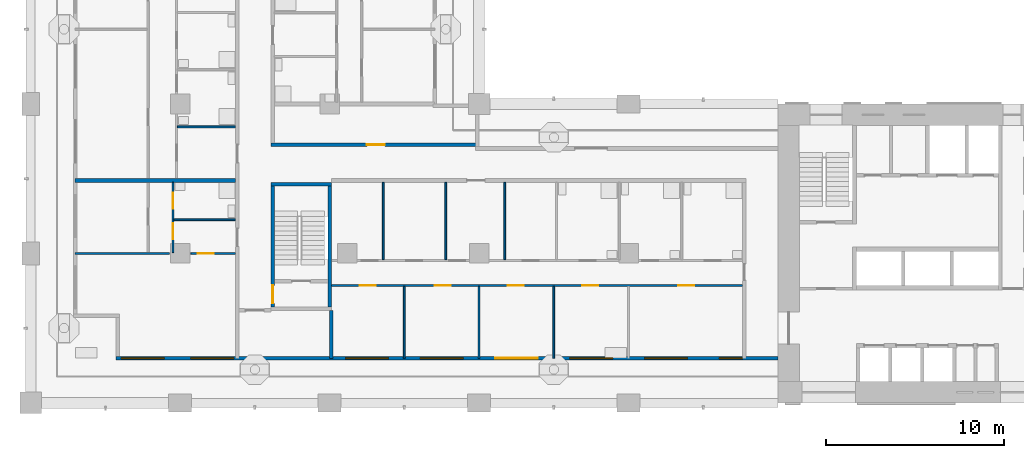
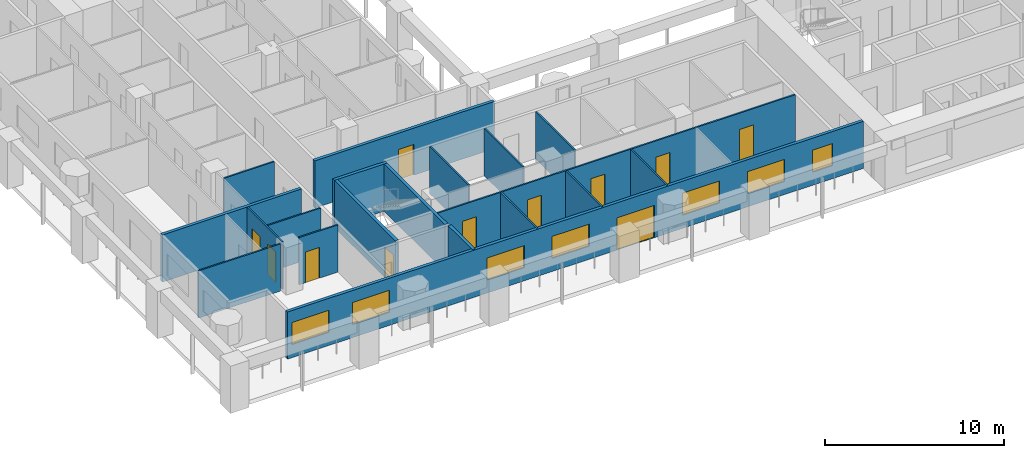
# One storey, part 2 of 19: 19 walls, 11 doors, 7 windows, 18 openings.
"""IFC4 building model written with IfcOpenShell, lengths in metres."""

from ifc_helpers import new_model, si_unit, direction, frame, frame_2d, origin, place, context, subcontext, project, spatial, rectangle, extrude, material, layer, layer_set, type_object, element, fill, save


model = new_model("IFC4")

# Units and contexts
model_context = context("Model", 3, precision=1e-05, world=origin(), true_north=direction((0.0, 1.0)))
body_context = subcontext(model_context, "Body", "Model", "MODEL_VIEW")
ifc_project = project(units=[si_unit("LENGTHUNIT", "METRE"), si_unit("AREAUNIT", "SQUARE_METRE"), si_unit("VOLUMEUNIT", "CUBIC_METRE"), si_unit("PLANEANGLEUNIT", "RADIAN"), si_unit("MASSUNIT", "GRAM", prefix="KILO")], contexts=[model_context])

# Site, building, storey
site_placement = place(None, origin())
site = spatial("IfcSite", under=ifc_project, at=site_placement, CompositionType="ELEMENT")
building_placement = place(site_placement, origin())
building = spatial("IfcBuilding", under=site, at=building_placement, Name="Vermilion Gate Residences", CompositionType="ELEMENT")
storey_placement = place(building_placement, frame((0.0, 0.0, 119.699951171875)))
storey = spatial("IfcBuildingStorey", under=building, at=storey_placement, Name="L30", CompositionType="ELEMENT", Elevation=119.699951171875)

# Wall, openings, door, windows
ifc_material_1 = material(Name="Insulated steel stud wall with terracotta rainscreen", Category="masonry")
ifc_layer_1 = layer(ifc_material_1, 0.199951171875)
ifc_layer_set_1 = layer_set([ifc_layer_1], Name="EXTERNAL WALL 200 TERRACOTTA RAINSCREEN")
wall_type_1 = type_object("IfcWallType", Name="EXTERNAL WALL 200 TERRACOTTA RAINSCREEN", PredefinedType="SOLIDWALL", material=ifc_layer_set_1)
wall_1_placement = place(storey_placement, frame((4.800048828125, 10.89990234375, 0.0), z_axis=(0.0, 0.0, 1.0), x_axis=(1.0, 0.0, 0.0)))
wall_1 = element("IfcWall", 1, at=wall_1_placement, inside=storey, type_object=wall_type_1, Name="External wall", PredefinedType="SOLIDWALL", context=body_context, shape_type="SweptSolid", body=[
    extrude(rectangle(XDim=37.199951171875, YDim=0.199951171875, at=frame_2d((18.60009765625, 0.0))), origin(), (0.0, 0.0, 1.0), 3.219970703125),
])
opening_1_placement = place(wall_1_placement, frame((0.300048828125, 0.0, 0.89990234375)))
opening_1 = element("IfcOpeningElement", 2, at=opening_1_placement, cuts=wall_1, Name="Opening WE30012", PredefinedType="OPENING", context=body_context, shape_type="SweptSolid", body=[
    extrude(rectangle(XDim=2.39990234375, YDim=1.5, at=frame_2d((1.199951171875, 0.75))), frame((0.0, 0.10986328125, 0.0), z_axis=(0.0, -1.0, 0.0), x_axis=(1.0, 0.0, 0.0)), (0.0, 0.0, 1.0), 0.219970703125),
])
opening_2_placement = place(wall_1_placement, frame((4.199951171875, 0.0, 0.89990234375)))
opening_2 = element("IfcOpeningElement", 3, at=opening_2_placement, cuts=wall_1, Name="Opening WE30013", PredefinedType="OPENING", context=body_context, shape_type="SweptSolid", body=[
    extrude(rectangle(XDim=2.39990234375, YDim=1.5, at=frame_2d((1.199951171875, 0.75))), frame((0.0, 0.10986328125, 0.0), z_axis=(0.0, -1.0, 0.0), x_axis=(1.0, 0.0, 0.0)), (0.0, 0.0, 1.0), 0.219970703125),
])
opening_3_placement = place(wall_1_placement, frame((12.89990234375, 0.0, 0.89990234375)))
opening_3 = element("IfcOpeningElement", 4, at=opening_3_placement, cuts=wall_1, Name="Opening WE30014", PredefinedType="OPENING", context=body_context, shape_type="SweptSolid", body=[
    extrude(rectangle(XDim=2.39990234375, YDim=1.5, at=frame_2d((1.199951171875, 0.75))), frame((0.0, 0.10986328125, 0.0), z_axis=(0.0, -1.0, 0.0), x_axis=(1.0, 0.0, 0.0)), (0.0, 0.0, 1.0), 0.219970703125),
])
opening_4_placement = place(wall_1_placement, frame((17.10009765625, 0.0, 0.89990234375)))
opening_4 = element("IfcOpeningElement", 5, at=opening_4_placement, cuts=wall_1, Name="Opening WE30015", PredefinedType="OPENING", context=body_context, shape_type="SweptSolid", body=[
    extrude(rectangle(XDim=2.39990234375, YDim=1.5, at=frame_2d((1.199951171875, 0.75))), frame((0.0, 0.10986328125, 0.0), z_axis=(0.0, -1.0, 0.0), x_axis=(1.0, 0.0, 0.0)), (0.0, 0.0, 1.0), 0.219970703125),
])
opening_5_placement = place(wall_1_placement, frame((21.300048828125, 0.0, 0.0)))
opening_5 = element("IfcOpeningElement", 6, at=opening_5_placement, cuts=wall_1, Name="Opening DE30016", PredefinedType="OPENING", context=body_context, shape_type="SweptSolid", body=[
    extrude(rectangle(XDim=2.39990234375, YDim=2.199951171875, at=frame_2d((1.199951171875, 1.10009765625))), frame((0.0, 0.10986328125, 0.0), z_axis=(0.0, -1.0, 0.0), x_axis=(1.0, 0.0, 0.0)), (0.0, 0.0, 1.0), 0.219970703125),
])
opening_6_placement = place(wall_1_placement, frame((25.5, 0.0, 0.89990234375)))
opening_6 = element("IfcOpeningElement", 7, at=opening_6_placement, cuts=wall_1, Name="Opening WE30017", PredefinedType="OPENING", context=body_context, shape_type="SweptSolid", body=[
    extrude(rectangle(XDim=2.39990234375, YDim=1.5, at=frame_2d((1.199951171875, 0.75))), frame((0.0, 0.10986328125, 0.0), z_axis=(0.0, -1.0, 0.0), x_axis=(1.0, 0.0, 0.0)), (0.0, 0.0, 1.0), 0.219970703125),
])
opening_7_placement = place(wall_1_placement, frame((29.699951171875, 0.0, 0.89990234375)))
opening_7 = element("IfcOpeningElement", 8, at=opening_7_placement, cuts=wall_1, Name="Opening WE30018", PredefinedType="OPENING", context=body_context, shape_type="SweptSolid", body=[
    extrude(rectangle(XDim=2.39990234375, YDim=1.5, at=frame_2d((1.199951171875, 0.75))), frame((0.0, 0.10986328125, 0.0), z_axis=(0.0, -1.0, 0.0), x_axis=(1.0, 0.0, 0.0)), (0.0, 0.0, 1.0), 0.219970703125),
])
opening_8_placement = place(wall_1_placement, frame((33.89990234375, 0.0, 0.89990234375)))
opening_8 = element("IfcOpeningElement", 9, at=opening_8_placement, cuts=wall_1, Name="Opening WE30019", PredefinedType="OPENING", context=body_context, shape_type="SweptSolid", body=[
    extrude(rectangle(XDim=1.300048828125, YDim=1.5, at=frame_2d((0.64990234375, 0.75))), frame((0.0, 0.10986328125, 0.0), z_axis=(0.0, -1.0, 0.0), x_axis=(1.0, 0.0, 0.0)), (0.0, 0.0, 1.0), 0.219970703125),
])
ifc_material_2 = material(Name="Aluminium and clear glass", Category="aluminium")
door_type_1 = type_object("IfcDoorType", Name="SLIDING GLAZED DOOR 2400 X 2200", OperationType="DOUBLE_DOOR_SLIDING", PredefinedType="DOOR", material=ifc_material_2)
door_1_placement = place(opening_5_placement, origin())
door_1 = element("IfcDoor", 10, at=door_1_placement, inside=storey, type_object=door_type_1, Name="Loggia sliding door", OperationType="DOUBLE_DOOR_SLIDING", OverallHeight=2.199951171875, OverallWidth=2.39990234375, PredefinedType="DOOR", context=body_context, shape_type="SweptSolid", body=[
    extrude(rectangle(XDim=2.39990234375, YDim=2.199951171875, at=frame_2d((1.199951171875, 1.10009765625))), frame((0.0, 0.02490234375, 0.0), z_axis=(0.0, -1.0, 0.0), x_axis=(1.0, 0.0, 0.0)), (0.0, 0.0, 1.0), 0.050048828125),
])
fill(opening_5, door_1)
ifc_material_3 = material(Name="Aluminium and clear glass", Category="aluminium")
window_type_1 = type_object("IfcWindowType", Name="WINDOW 1300 X 1500", PartitioningType="SINGLE_PANEL", PredefinedType="WINDOW", material=ifc_material_3)
window_1_placement = place(opening_8_placement, origin())
window_1 = element("IfcWindow", 11, at=window_1_placement, inside=storey, type_object=window_type_1, Name="Window", OverallHeight=1.5, OverallWidth=1.300048828125, PartitioningType="SINGLE_PANEL", PredefinedType="WINDOW", context=body_context, shape_type="SweptSolid", body=[
    extrude(rectangle(XDim=1.300048828125, YDim=1.5, at=frame_2d((0.64990234375, 0.75))), frame((0.0, 0.030029296875, 0.0), z_axis=(0.0, -1.0, 0.0), x_axis=(1.0, 0.0, 0.0)), (0.0, 0.0, 1.0), 0.06005859375),
])
fill(opening_8, window_1)
ifc_material_4 = material(Name="Aluminium and clear glass", Category="aluminium")
window_type_2 = type_object("IfcWindowType", Name="WINDOW 2400 X 1500", PartitioningType="SINGLE_PANEL", PredefinedType="WINDOW", material=ifc_material_4)
window_2_placement = place(opening_1_placement, origin())
window_2 = element("IfcWindow", 12, at=window_2_placement, inside=storey, type_object=window_type_2, Name="Window", OverallHeight=1.5, OverallWidth=2.39990234375, PartitioningType="SINGLE_PANEL", PredefinedType="WINDOW", context=body_context, shape_type="SweptSolid", body=[
    extrude(rectangle(XDim=2.39990234375, YDim=1.5, at=frame_2d((1.199951171875, 0.75))), frame((0.0, 0.030029296875, 0.0), z_axis=(0.0, -1.0, 0.0), x_axis=(1.0, 0.0, 0.0)), (0.0, 0.0, 1.0), 0.06005859375),
])
fill(opening_1, window_2)
window_3_placement = place(opening_2_placement, origin())
window_3 = element("IfcWindow", 13, at=window_3_placement, inside=storey, type_object=window_type_2, Name="Window", OverallHeight=1.5, OverallWidth=2.39990234375, PartitioningType="SINGLE_PANEL", PredefinedType="WINDOW", context=body_context, shape_type="SweptSolid", body=[
    extrude(rectangle(XDim=2.39990234375, YDim=1.5, at=frame_2d((1.199951171875, 0.75))), frame((0.0, 0.030029296875, 0.0), z_axis=(0.0, -1.0, 0.0), x_axis=(1.0, 0.0, 0.0)), (0.0, 0.0, 1.0), 0.06005859375),
])
fill(opening_2, window_3)
window_4_placement = place(opening_3_placement, origin())
window_4 = element("IfcWindow", 14, at=window_4_placement, inside=storey, type_object=window_type_2, Name="Window", OverallHeight=1.5, OverallWidth=2.39990234375, PartitioningType="SINGLE_PANEL", PredefinedType="WINDOW", context=body_context, shape_type="SweptSolid", body=[
    extrude(rectangle(XDim=2.39990234375, YDim=1.5, at=frame_2d((1.199951171875, 0.75))), frame((0.0, 0.030029296875, 0.0), z_axis=(0.0, -1.0, 0.0), x_axis=(1.0, 0.0, 0.0)), (0.0, 0.0, 1.0), 0.06005859375),
])
fill(opening_3, window_4)
window_5_placement = place(opening_4_placement, origin())
window_5 = element("IfcWindow", 15, at=window_5_placement, inside=storey, type_object=window_type_2, Name="Window", OverallHeight=1.5, OverallWidth=2.39990234375, PartitioningType="SINGLE_PANEL", PredefinedType="WINDOW", context=body_context, shape_type="SweptSolid", body=[
    extrude(rectangle(XDim=2.39990234375, YDim=1.5, at=frame_2d((1.199951171875, 0.75))), frame((0.0, 0.030029296875, 0.0), z_axis=(0.0, -1.0, 0.0), x_axis=(1.0, 0.0, 0.0)), (0.0, 0.0, 1.0), 0.06005859375),
])
fill(opening_4, window_5)
window_6_placement = place(opening_6_placement, origin())
window_6 = element("IfcWindow", 16, at=window_6_placement, inside=storey, type_object=window_type_2, Name="Window", OverallHeight=1.5, OverallWidth=2.39990234375, PartitioningType="SINGLE_PANEL", PredefinedType="WINDOW", context=body_context, shape_type="SweptSolid", body=[
    extrude(rectangle(XDim=2.39990234375, YDim=1.5, at=frame_2d((1.199951171875, 0.75))), frame((0.0, 0.030029296875, 0.0), z_axis=(0.0, -1.0, 0.0), x_axis=(1.0, 0.0, 0.0)), (0.0, 0.0, 1.0), 0.06005859375),
])
fill(opening_6, window_6)
window_7_placement = place(opening_7_placement, origin())
window_7 = element("IfcWindow", 17, at=window_7_placement, inside=storey, type_object=window_type_2, Name="Window", OverallHeight=1.5, OverallWidth=2.39990234375, PartitioningType="SINGLE_PANEL", PredefinedType="WINDOW", context=body_context, shape_type="SweptSolid", body=[
    extrude(rectangle(XDim=2.39990234375, YDim=1.5, at=frame_2d((1.199951171875, 0.75))), frame((0.0, 0.030029296875, 0.0), z_axis=(0.0, -1.0, 0.0), x_axis=(1.0, 0.0, 0.0)), (0.0, 0.0, 1.0), 0.06005859375),
])
fill(opening_7, window_7)

# Wall, openings, doors
ifc_material_5 = material(Name="Plasterboard on steel studs", Category="steel")
ifc_layer_2 = layer(ifc_material_5, 0.10009765625)
ifc_layer_set_2 = layer_set([ifc_layer_2], Name="PARTITION 100")
wall_type_2 = type_object("IfcWallType", Name="PARTITION 100", PredefinedType="PARTITIONING", material=ifc_layer_set_2)
wall_2_placement = place(storey_placement, frame((16.89990234375, 15.0, 0.0), z_axis=(0.0, 0.0, 1.0), x_axis=(1.0, 0.0, 0.0)))
wall_2 = element("IfcWall", 18, at=wall_2_placement, inside=storey, type_object=wall_type_2, Name="Partition", PredefinedType="PARTITIONING", context=body_context, shape_type="SweptSolid", body=[
    extrude(rectangle(XDim=23.10009765625, YDim=0.10009765625, at=frame_2d((11.550048828125, 0.0))), origin(), (0.0, 0.0, 1.0), 3.219970703125),
])
opening_9_placement = place(wall_2_placement, frame((1.60009765625, 0.0, 0.0)))
opening_9 = element("IfcOpeningElement", 19, at=opening_9_placement, cuts=wall_2, Name="Opening DA30002", PredefinedType="OPENING", context=body_context, shape_type="SweptSolid", body=[
    extrude(rectangle(XDim=0.89990234375, YDim=2.10009765625, at=frame_2d((0.449951171875, 1.050048828125))), frame((0.0, 0.06005859375, 0.0), z_axis=(0.0, -1.0, 0.0), x_axis=(1.0, 0.0, 0.0)), (0.0, 0.0, 1.0), 0.1201171875),
])
opening_10_placement = place(wall_2_placement, frame((5.800048828125, 0.0, 0.0)))
opening_10 = element("IfcOpeningElement", 20, at=opening_10_placement, cuts=wall_2, Name="Opening DA30003", PredefinedType="OPENING", context=body_context, shape_type="SweptSolid", body=[
    extrude(rectangle(XDim=0.89990234375, YDim=2.10009765625, at=frame_2d((0.449951171875, 1.050048828125))), frame((0.0, 0.06005859375, 0.0), z_axis=(0.0, -1.0, 0.0), x_axis=(1.0, 0.0, 0.0)), (0.0, 0.0, 1.0), 0.1201171875),
])
opening_11_placement = place(wall_2_placement, frame((9.89990234375, 0.0, 0.0)))
opening_11 = element("IfcOpeningElement", 21, at=opening_11_placement, cuts=wall_2, Name="Opening DA30004", PredefinedType="OPENING", context=body_context, shape_type="SweptSolid", body=[
    extrude(rectangle(XDim=0.89990234375, YDim=2.10009765625, at=frame_2d((0.449951171875, 1.050048828125))), frame((0.0, 0.06005859375, 0.0), z_axis=(0.0, -1.0, 0.0), x_axis=(1.0, 0.0, 0.0)), (0.0, 0.0, 1.0), 0.1201171875),
])
opening_12_placement = place(wall_2_placement, frame((14.10009765625, 0.0, 0.0)))
opening_12 = element("IfcOpeningElement", 22, at=opening_12_placement, cuts=wall_2, Name="Opening DA30005", PredefinedType="OPENING", context=body_context, shape_type="SweptSolid", body=[
    extrude(rectangle(XDim=0.89990234375, YDim=2.10009765625, at=frame_2d((0.449951171875, 1.050048828125))), frame((0.0, 0.06005859375, 0.0), z_axis=(0.0, -1.0, 0.0), x_axis=(1.0, 0.0, 0.0)), (0.0, 0.0, 1.0), 0.1201171875),
])
opening_13_placement = place(wall_2_placement, frame((19.5, 0.0, 0.0)))
opening_13 = element("IfcOpeningElement", 23, at=opening_13_placement, cuts=wall_2, Name="Opening DA30006", PredefinedType="OPENING", context=body_context, shape_type="SweptSolid", body=[
    extrude(rectangle(XDim=0.89990234375, YDim=2.10009765625, at=frame_2d((0.449951171875, 1.050048828125))), frame((0.0, 0.06005859375, 0.0), z_axis=(0.0, -1.0, 0.0), x_axis=(1.0, 0.0, 0.0)), (0.0, 0.0, 1.0), 0.1201171875),
])
ifc_material_6 = material(Name="Timber", Category="wood")
door_type_2 = type_object("IfcDoorType", Name="INTERIOR DOOR 900 X 2100", OperationType="SINGLE_SWING_LEFT", PredefinedType="DOOR", material=ifc_material_6)
door_2_placement = place(opening_9_placement, frame((0.89990234375, 0.0, 0.0), z_axis=(0.0, 0.0, 1.0), x_axis=(-1.0, 0.0, 0.0)))
door_2 = element("IfcDoor", 24, at=door_2_placement, inside=storey, type_object=door_type_2, Name="Interior door", OperationType="SINGLE_SWING_LEFT", OverallHeight=2.10009765625, OverallWidth=0.89990234375, PredefinedType="DOOR", context=body_context, shape_type="SweptSolid", body=[
    extrude(rectangle(XDim=0.89990234375, YDim=2.10009765625, at=frame_2d((0.449951171875, 1.050048828125))), frame((0.0, 0.02490234375, 0.0), z_axis=(0.0, -1.0, 0.0), x_axis=(1.0, 0.0, 0.0)), (0.0, 0.0, 1.0), 0.050048828125),
])
fill(opening_9, door_2)
door_3_placement = place(opening_10_placement, frame((0.89990234375, 0.0, 0.0), z_axis=(0.0, 0.0, 1.0), x_axis=(-1.0, 0.0, 0.0)))
door_3 = element("IfcDoor", 25, at=door_3_placement, inside=storey, type_object=door_type_2, Name="Interior door", OperationType="SINGLE_SWING_LEFT", OverallHeight=2.10009765625, OverallWidth=0.89990234375, PredefinedType="DOOR", context=body_context, shape_type="SweptSolid", body=[
    extrude(rectangle(XDim=0.89990234375, YDim=2.10009765625, at=frame_2d((0.449951171875, 1.050048828125))), frame((0.0, 0.02490234375, 0.0), z_axis=(0.0, -1.0, 0.0), x_axis=(1.0, 0.0, 0.0)), (0.0, 0.0, 1.0), 0.050048828125),
])
fill(opening_10, door_3)
door_4_placement = place(opening_11_placement, frame((0.89990234375, 0.0, 0.0), z_axis=(0.0, 0.0, 1.0), x_axis=(-1.0, 0.0, 0.0)))
door_4 = element("IfcDoor", 26, at=door_4_placement, inside=storey, type_object=door_type_2, Name="Interior door", OperationType="SINGLE_SWING_RIGHT", OverallHeight=2.10009765625, OverallWidth=0.89990234375, PredefinedType="DOOR", context=body_context, shape_type="SweptSolid", body=[
    extrude(rectangle(XDim=0.89990234375, YDim=2.10009765625, at=frame_2d((0.449951171875, 1.050048828125))), frame((0.0, 0.02490234375, 0.0), z_axis=(0.0, -1.0, 0.0), x_axis=(1.0, 0.0, 0.0)), (0.0, 0.0, 1.0), 0.050048828125),
])
fill(opening_11, door_4)
door_5_placement = place(opening_12_placement, frame((0.89990234375, 0.0, 0.0), z_axis=(0.0, 0.0, 1.0), x_axis=(-1.0, 0.0, 0.0)))
door_5 = element("IfcDoor", 27, at=door_5_placement, inside=storey, type_object=door_type_2, Name="Interior door", OperationType="SINGLE_SWING_RIGHT", OverallHeight=2.10009765625, OverallWidth=0.89990234375, PredefinedType="DOOR", context=body_context, shape_type="SweptSolid", body=[
    extrude(rectangle(XDim=0.89990234375, YDim=2.10009765625, at=frame_2d((0.449951171875, 1.050048828125))), frame((0.0, 0.02490234375, 0.0), z_axis=(0.0, -1.0, 0.0), x_axis=(1.0, 0.0, 0.0)), (0.0, 0.0, 1.0), 0.050048828125),
])
fill(opening_12, door_5)
door_6_placement = place(opening_13_placement, frame((0.89990234375, 0.0, 0.0), z_axis=(0.0, 0.0, 1.0), x_axis=(-1.0, 0.0, 0.0)))
door_6 = element("IfcDoor", 28, at=door_6_placement, inside=storey, type_object=door_type_2, Name="Interior door", OperationType="SINGLE_SWING_LEFT", OverallHeight=2.10009765625, OverallWidth=0.89990234375, PredefinedType="DOOR", context=body_context, shape_type="SweptSolid", body=[
    extrude(rectangle(XDim=0.89990234375, YDim=2.10009765625, at=frame_2d((0.449951171875, 1.050048828125))), frame((0.0, 0.02490234375, 0.0), z_axis=(0.0, -1.0, 0.0), x_axis=(1.0, 0.0, 0.0)), (0.0, 0.0, 1.0), 0.050048828125),
])
fill(opening_13, door_6)

# Wall
wall_3_placement = place(storey_placement, frame((2.5, 16.800048828125, 0.0), z_axis=(0.0, 0.0, 1.0), x_axis=(1.0, 0.0, 0.0)))
element("IfcWall", 29, at=wall_3_placement, inside=storey, type_object=wall_type_2, Name="Partition", PredefinedType="PARTITIONING", context=body_context, shape_type="SweptSolid", body=[
    extrude(rectangle(XDim=5.300048828125, YDim=0.10009765625, at=frame_2d((2.64990234375, 0.0))), origin(), (0.0, 0.0, 1.0), 3.219970703125),
])

# Wall, opening, door
wall_4_placement = place(storey_placement, frame((9.0, 16.800048828125, 0.0), z_axis=(0.0, 0.0, 1.0), x_axis=(1.0, 0.0, 0.0)))
wall_4 = element("IfcWall", 30, at=wall_4_placement, inside=storey, type_object=wall_type_2, Name="Partition", PredefinedType="PARTITIONING", context=body_context, shape_type="SweptSolid", body=[
    extrude(rectangle(XDim=2.5, YDim=0.10009765625, at=frame_2d((1.25, 0.0))), origin(), (0.0, 0.0, 1.0), 3.219970703125),
])
opening_14_placement = place(wall_4_placement, frame((0.39990234375, 0.0, 0.0)))
opening_14 = element("IfcOpeningElement", 31, at=opening_14_placement, cuts=wall_4, Name="Opening DA30014", PredefinedType="OPENING", context=body_context, shape_type="SweptSolid", body=[
    extrude(rectangle(XDim=0.89990234375, YDim=2.10009765625, at=frame_2d((0.449951171875, 1.050048828125))), frame((0.0, 0.06005859375, 0.0), z_axis=(0.0, -1.0, 0.0), x_axis=(1.0, 0.0, 0.0)), (0.0, 0.0, 1.0), 0.1201171875),
])
door_7_placement = place(opening_14_placement, frame((0.89990234375, 0.0, 0.0), z_axis=(0.0, 0.0, 1.0), x_axis=(-1.0, 0.0, 0.0)))
door_7 = element("IfcDoor", 32, at=door_7_placement, inside=storey, type_object=door_type_2, Name="Interior door", OperationType="SINGLE_SWING_RIGHT", OverallHeight=2.10009765625, OverallWidth=0.89990234375, PredefinedType="DOOR", context=body_context, shape_type="SweptSolid", body=[
    extrude(rectangle(XDim=0.89990234375, YDim=2.10009765625, at=frame_2d((0.449951171875, 1.050048828125))), frame((0.0, 0.02490234375, 0.0), z_axis=(0.0, -1.0, 0.0), x_axis=(1.0, 0.0, 0.0)), (0.0, 0.0, 1.0), 0.050048828125),
])
fill(opening_14, door_7)

# Walls
wall_5_placement = place(storey_placement, frame((8.050048828125, 18.699951171875, 0.0), z_axis=(0.0, 0.0, 1.0), x_axis=(1.0, 0.0, 0.0)))
element("IfcWall", 33, at=wall_5_placement, inside=storey, type_object=wall_type_2, Name="Partition", PredefinedType="PARTITIONING", context=body_context, shape_type="SweptSolid", body=[
    extrude(rectangle(XDim=3.449951171875, YDim=0.10009765625, at=frame_2d((1.72509765625, 0.0))), origin(), (0.0, 0.0, 1.0), 3.219970703125),
])
wall_6_placement = place(storey_placement, frame((8.25, 23.9140625, 0.0), z_axis=(0.0, 0.0, 1.0), x_axis=(1.0, 0.0, 0.0)))
element("IfcWall", 34, at=wall_6_placement, inside=storey, type_object=wall_type_2, Name="Partition", PredefinedType="PARTITIONING", context=body_context, shape_type="SweptSolid", body=[
    extrude(rectangle(XDim=3.25, YDim=0.10009765625, at=frame_2d((1.625, 0.0))), origin(), (0.0, 0.0, 1.0), 3.219970703125),
])

# Wall, openings, doors
wall_7_placement = place(storey_placement, frame((8.0, 16.85009765625, 0.0), z_axis=(0.0, 0.0, 1.0), x_axis=(0.0, 1.0, 0.0)))
wall_7 = element("IfcWall", 35, at=wall_7_placement, inside=storey, type_object=wall_type_2, Name="Partition", PredefinedType="PARTITIONING", context=body_context, shape_type="SweptSolid", body=[
    extrude(rectangle(XDim=3.949951171875, YDim=0.10009765625, at=frame_2d((1.97509765625, 0.0))), origin(), (0.0, 0.0, 1.0), 3.219970703125),
])
opening_15_placement = place(wall_7_placement, frame((0.75, 0.0, 0.0)))
opening_15 = element("IfcOpeningElement", 36, at=opening_15_placement, cuts=wall_7, Name="Opening DA30027", PredefinedType="OPENING", context=body_context, shape_type="SweptSolid", body=[
    extrude(rectangle(XDim=0.89990234375, YDim=2.10009765625, at=frame_2d((0.449951171875, 1.050048828125))), frame((0.0, 0.06005859375, 0.0), z_axis=(0.0, -1.0, 0.0), x_axis=(1.0, 0.0, 0.0)), (0.0, 0.0, 1.0), 0.1201171875),
])
opening_16_placement = place(wall_7_placement, frame((2.449951171875, 0.0, 0.0)))
opening_16 = element("IfcOpeningElement", 37, at=opening_16_placement, cuts=wall_7, Name="Opening DA30028", PredefinedType="OPENING", context=body_context, shape_type="SweptSolid", body=[
    extrude(rectangle(XDim=0.89990234375, YDim=2.10009765625, at=frame_2d((0.449951171875, 1.050048828125))), frame((0.0, 0.06005859375, 0.0), z_axis=(0.0, -1.0, 0.0), x_axis=(1.0, 0.0, 0.0)), (0.0, 0.0, 1.0), 0.1201171875),
])
door_8_placement = place(opening_15_placement, origin())
door_8 = element("IfcDoor", 38, at=door_8_placement, inside=storey, type_object=door_type_2, Name="Interior door", OperationType="SINGLE_SWING_RIGHT", OverallHeight=2.10009765625, OverallWidth=0.89990234375, PredefinedType="DOOR", context=body_context, shape_type="SweptSolid", body=[
    extrude(rectangle(XDim=0.89990234375, YDim=2.10009765625, at=frame_2d((0.449951171875, 1.050048828125))), frame((0.0, 0.02490234375, 0.0), z_axis=(0.0, -1.0, 0.0), x_axis=(1.0, 0.0, 0.0)), (0.0, 0.0, 1.0), 0.050048828125),
])
fill(opening_15, door_8)
door_9_placement = place(opening_16_placement, frame((0.89990234375, 0.0, 0.0), z_axis=(0.0, 0.0, 1.0), x_axis=(-1.0, 0.0, 0.0)))
door_9 = element("IfcDoor", 39, at=door_9_placement, inside=storey, type_object=door_type_2, Name="Interior door", OperationType="SINGLE_SWING_LEFT", OverallHeight=2.10009765625, OverallWidth=0.89990234375, PredefinedType="DOOR", context=body_context, shape_type="SweptSolid", body=[
    extrude(rectangle(XDim=0.89990234375, YDim=2.10009765625, at=frame_2d((0.449951171875, 1.050048828125))), frame((0.0, 0.02490234375, 0.0), z_axis=(0.0, -1.0, 0.0), x_axis=(1.0, 0.0, 0.0)), (0.0, 0.0, 1.0), 0.050048828125),
])
fill(opening_16, door_9)

# Walls
wall_8_placement = place(storey_placement, frame((19.81396484375, 16.449951171875, 0.0), z_axis=(0.0, 0.0, 1.0), x_axis=(0.0, 1.0, 0.0)))
element("IfcWall", 40, at=wall_8_placement, inside=storey, type_object=wall_type_2, Name="Partition", PredefinedType="PARTITIONING", context=body_context, shape_type="SweptSolid", body=[
    extrude(rectangle(XDim=4.35009765625, YDim=0.10009765625, at=frame_2d((2.175048828125, 0.0))), origin(), (0.0, 0.0, 1.0), 3.219970703125),
])
wall_9_placement = place(storey_placement, frame((21.0, 10.89990234375, 0.0), z_axis=(0.0, 0.0, 1.0), x_axis=(0.0, 1.0, 0.0)))
element("IfcWall", 41, at=wall_9_placement, inside=storey, type_object=wall_type_2, Name="Partition", PredefinedType="PARTITIONING", context=body_context, shape_type="SweptSolid", body=[
    extrude(rectangle(XDim=4.050048828125, YDim=0.10009765625, at=frame_2d((2.02490234375, 0.0))), origin(), (0.0, 0.0, 1.0), 3.219970703125),
])
wall_10_placement = place(storey_placement, frame((23.3291015625, 16.449951171875, 0.0), z_axis=(0.0, 0.0, 1.0), x_axis=(0.0, 1.0, 0.0)))
element("IfcWall", 42, at=wall_10_placement, inside=storey, type_object=wall_type_2, Name="Partition", PredefinedType="PARTITIONING", context=body_context, shape_type="SweptSolid", body=[
    extrude(rectangle(XDim=4.35009765625, YDim=0.10009765625, at=frame_2d((2.175048828125, 0.0))), origin(), (0.0, 0.0, 1.0), 3.219970703125),
])
wall_11_placement = place(storey_placement, frame((25.199951171875, 10.89990234375, 0.0), z_axis=(0.0, 0.0, 1.0), x_axis=(0.0, 1.0, 0.0)))
element("IfcWall", 43, at=wall_11_placement, inside=storey, type_object=wall_type_2, Name="Partition", PredefinedType="PARTITIONING", context=body_context, shape_type="SweptSolid", body=[
    extrude(rectangle(XDim=4.050048828125, YDim=0.10009765625, at=frame_2d((2.02490234375, 0.0))), origin(), (0.0, 0.0, 1.0), 3.219970703125),
])
wall_12_placement = place(storey_placement, frame((26.64306640625, 16.449951171875, 0.0), z_axis=(0.0, 0.0, 1.0), x_axis=(0.0, 1.0, 0.0)))
element("IfcWall", 44, at=wall_12_placement, inside=storey, type_object=wall_type_2, Name="Partition", PredefinedType="PARTITIONING", context=body_context, shape_type="SweptSolid", body=[
    extrude(rectangle(XDim=4.35009765625, YDim=0.10009765625, at=frame_2d((2.175048828125, 0.0))), origin(), (0.0, 0.0, 1.0), 3.219970703125),
])
wall_13_placement = place(storey_placement, frame((29.39990234375, 10.89990234375, 0.0), z_axis=(0.0, 0.0, 1.0), x_axis=(0.0, 1.0, 0.0)))
element("IfcWall", 45, at=wall_13_placement, inside=storey, type_object=wall_type_2, Name="Partition", PredefinedType="PARTITIONING", context=body_context, shape_type="SweptSolid", body=[
    extrude(rectangle(XDim=4.050048828125, YDim=0.10009765625, at=frame_2d((2.02490234375, 0.0))), origin(), (0.0, 0.0, 1.0), 3.219970703125),
])
ifc_material_7 = material(Name="Fire-rated plasterboard on steel studs", Category="steel")
ifc_layer_3 = layer(ifc_material_7, 0.199951171875)
ifc_layer_set_3 = layer_set([ifc_layer_3], Name="PARTY WALL 200 EI 120")
wall_type_3 = type_object("IfcWallType", Name="PARTY WALL 200 EI 120", PredefinedType="PARTITIONING", material=ifc_layer_set_3)
wall_14_placement = place(storey_placement, frame((2.5, 20.89990234375, 0.0), z_axis=(0.0, 0.0, 1.0), x_axis=(1.0, 0.0, 0.0)))
element("IfcWall", 46, at=wall_14_placement, inside=storey, type_object=wall_type_3, Name="Party and corridor wall", PredefinedType="PARTITIONING", context=body_context, shape_type="SweptSolid", body=[
    extrude(rectangle(XDim=9.0, YDim=0.199951171875, at=frame_2d((4.5, 0.0))), origin(), (0.0, 0.0, 1.0), 3.219970703125),
])

# Wall, opening, door
wall_15_placement = place(storey_placement, frame((13.5, 22.89990234375, 0.0), z_axis=(0.0, 0.0, 1.0), x_axis=(1.0, 0.0, 0.0)))
wall_15 = element("IfcWall", 47, at=wall_15_placement, inside=storey, type_object=wall_type_3, Name="Party and corridor wall", PredefinedType="PARTITIONING", context=body_context, shape_type="SweptSolid", body=[
    extrude(rectangle(XDim=11.60009765625, YDim=0.199951171875, at=frame_2d((5.800048828125, 0.0))), origin(), (0.0, 0.0, 1.0), 3.219970703125),
])
opening_17_placement = place(wall_15_placement, frame((5.39990234375, 0.0, 0.0)))
opening_17 = element("IfcOpeningElement", 48, at=opening_17_placement, cuts=wall_15, Name="Opening DA30016", PredefinedType="OPENING", context=body_context, shape_type="SweptSolid", body=[
    extrude(rectangle(XDim=1.0, YDim=2.10009765625, at=frame_2d((0.5, 1.050048828125))), frame((0.0, 0.10986328125, 0.0), z_axis=(0.0, -1.0, 0.0), x_axis=(1.0, 0.0, 0.0)), (0.0, 0.0, 1.0), 0.219970703125),
])
ifc_material_8 = material(Name="Steel", Category="steel")
door_type_3 = type_object("IfcDoorType", Name="ENTRANCE DOOR 1000 X 2100 FD30", OperationType="SINGLE_SWING_LEFT", PredefinedType="DOOR", material=ifc_material_8)
door_10_placement = place(opening_17_placement, origin())
door_10 = element("IfcDoor", 49, at=door_10_placement, inside=storey, type_object=door_type_3, Name="Entrance door", OperationType="SINGLE_SWING_LEFT", OverallHeight=2.10009765625, OverallWidth=1.0, PredefinedType="DOOR", context=body_context, shape_type="SweptSolid", body=[
    extrude(rectangle(XDim=1.0, YDim=2.10009765625, at=frame_2d((0.5, 1.050048828125))), frame((0.0, 0.02490234375, 0.0), z_axis=(0.0, -1.0, 0.0), x_axis=(1.0, 0.0, 0.0)), (0.0, 0.0, 1.0), 0.050048828125),
])
fill(opening_17, door_10)

# Wall
wall_16_placement = place(storey_placement, frame((16.89990234375, 10.89990234375, 0.0), z_axis=(0.0, 0.0, 1.0), x_axis=(0.0, 1.0, 0.0)))
element("IfcWall", 50, at=wall_16_placement, inside=storey, type_object=wall_type_3, Name="Party and corridor wall", PredefinedType="PARTITIONING", context=body_context, shape_type="SweptSolid", body=[
    extrude(rectangle(XDim=2.7001953125, YDim=0.199951171875, at=frame_2d((1.35009765625, 0.0))), origin(), (0.0, 0.0, 1.0), 3.219970703125),
])

# Wall, opening, door
ifc_material_9 = material(Name="Concrete C60", Category="concrete")
ifc_layer_4 = layer(ifc_material_9, 0.199951171875)
ifc_layer_set_4 = layer_set([ifc_layer_4], Name="RC CORE INTERNAL WALL 200 C60")
wall_type_4 = type_object("IfcWallType", Name="RC CORE INTERNAL WALL 200 C60", PredefinedType="SHEAR", material=ifc_layer_set_4)
wall_17_placement = place(storey_placement, frame((13.60009765625, 13.800048828125, 0.0), z_axis=(0.0, 0.0, 1.0), x_axis=(0.0, 1.0, 0.0)))
wall_17 = element("IfcWall", 51, at=wall_17_placement, inside=storey, type_object=wall_type_4, Name="Core internal wall C30-W", PredefinedType="SHEAR", context=body_context, shape_type="SweptSolid", body=[
    extrude(rectangle(XDim=6.800048828125, YDim=0.199951171875, at=frame_2d((3.39990234375, 0.0))), origin(), (0.0, 0.0, 1.0), 3.219970703125),
])
opening_18_placement = place(wall_17_placement, frame((0.199951171875, 0.0, 0.0)))
opening_18 = element("IfcOpeningElement", 52, at=opening_18_placement, cuts=wall_17, Name="Opening DK30201", PredefinedType="OPENING", context=body_context, shape_type="SweptSolid", body=[
    extrude(rectangle(XDim=1.0, YDim=2.10009765625, at=frame_2d((0.5, 1.050048828125))), frame((0.0, 0.10986328125, 0.0), z_axis=(0.0, -1.0, 0.0), x_axis=(1.0, 0.0, 0.0)), (0.0, 0.0, 1.0), 0.219970703125),
])
ifc_material_10 = material(Name="Steel", Category="steel")
door_type_4 = type_object("IfcDoorType", Name="FIRE DOOR FD60 1000 X 2100", OperationType="SINGLE_SWING_LEFT", PredefinedType="DOOR", material=ifc_material_10)
door_11_placement = place(opening_18_placement, frame((1.0, 0.0, 0.0), z_axis=(0.0, 0.0, 1.0), x_axis=(-1.0, 0.0, 0.0)))
door_11 = element("IfcDoor", 53, at=door_11_placement, inside=storey, type_object=door_type_4, Name="Stair vestibule door C30", OperationType="SINGLE_SWING_LEFT", OverallHeight=2.10009765625, OverallWidth=1.0, PredefinedType="DOOR", context=body_context, shape_type="SweptSolid", body=[
    extrude(rectangle(XDim=1.0, YDim=2.10009765625, at=frame_2d((0.5, 1.050048828125))), frame((0.0, 0.02490234375, 0.0), z_axis=(0.0, -1.0, 0.0), x_axis=(1.0, 0.0, 0.0)), (0.0, 0.0, 1.0), 0.050048828125),
])
fill(opening_18, door_11)

# Walls
wall_18_placement = place(storey_placement, frame((16.800048828125, 13.800048828125, 0.0), z_axis=(0.0, 0.0, 1.0), x_axis=(0.0, 1.0, 0.0)))
element("IfcWall", 54, at=wall_18_placement, inside=storey, type_object=wall_type_4, Name="Core internal wall C30-E", PredefinedType="SHEAR", context=body_context, shape_type="SweptSolid", body=[
    extrude(rectangle(XDim=6.800048828125, YDim=0.199951171875, at=frame_2d((3.39990234375, 0.0))), origin(), (0.0, 0.0, 1.0), 3.219970703125),
])
wall_19_placement = place(storey_placement, frame((13.5, 20.699951171875, 0.0), z_axis=(0.0, 0.0, 1.0), x_axis=(1.0, 0.0, 0.0)))
element("IfcWall", 55, at=wall_19_placement, inside=storey, type_object=wall_type_4, Name="Core internal wall C30-N", PredefinedType="SHEAR", context=body_context, shape_type="SweptSolid", body=[
    extrude(rectangle(XDim=3.39990234375, YDim=0.199951171875, at=frame_2d((1.699951171875, 0.0))), origin(), (0.0, 0.0, 1.0), 3.219970703125),
])

save(model, "model.ifc")
